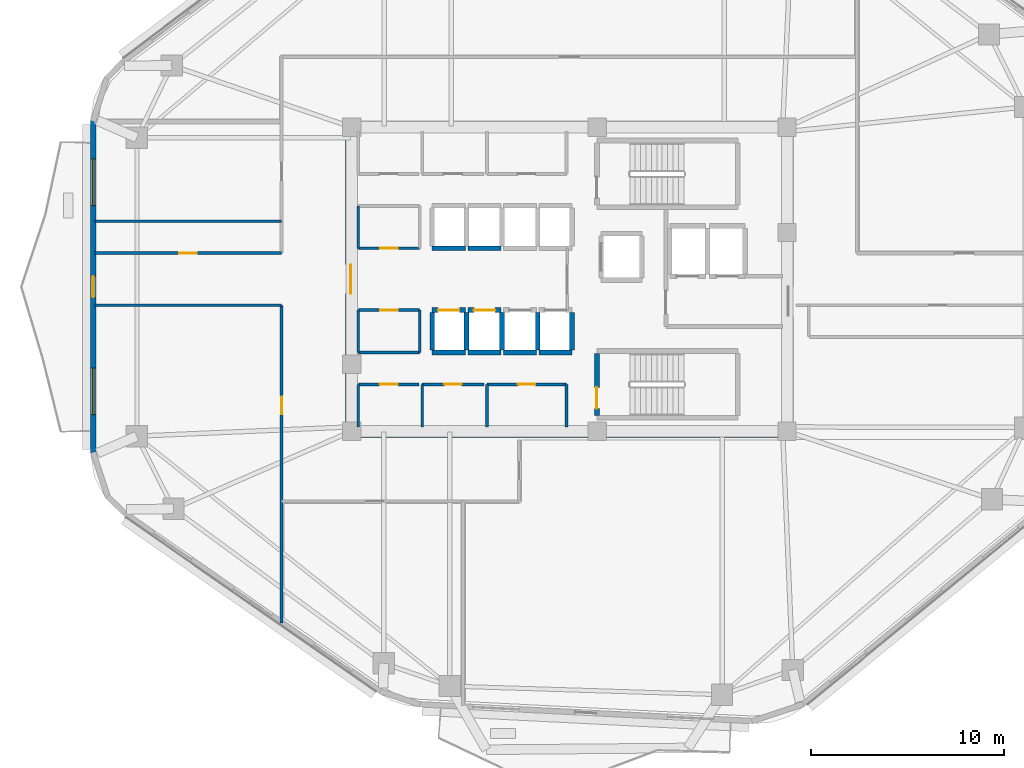
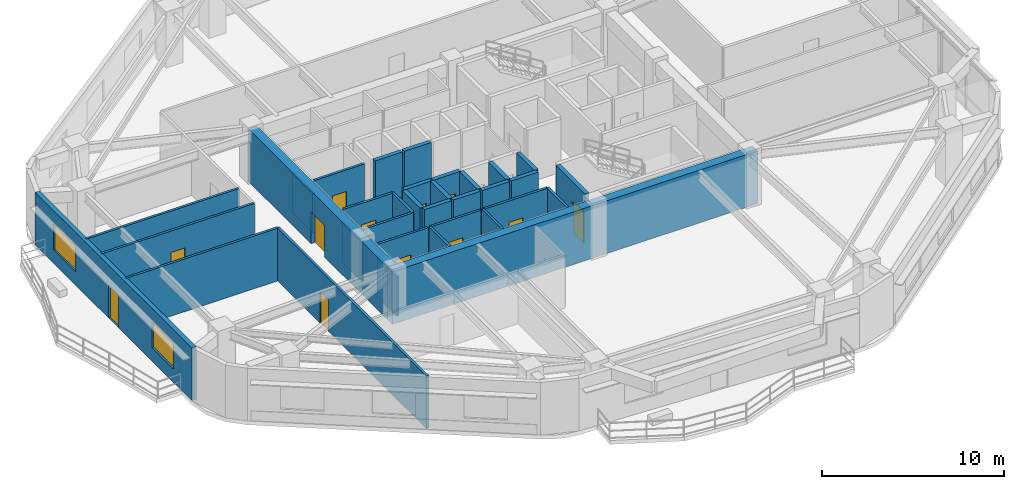
# One storey, part 9 of 15: 34 walls, 12 doors, 2 windows, 14 openings.
"""IFC4 building model written with IfcOpenShell, lengths in metres."""

from ifc_helpers import new_model, si_unit, direction, frame, frame_2d, origin, place, context, subcontext, project, spatial, rectangle, extrude, material, layer, layer_set, type_object, element, fill, save


model = new_model("IFC4")

# Units and contexts
model_context = context("Model", 3, precision=1e-05, world=origin(), true_north=direction((0.0, 1.0)))
body_context = subcontext(model_context, "Body", "Model", "MODEL_VIEW")
ifc_project = project(units=[si_unit("LENGTHUNIT", "METRE"), si_unit("AREAUNIT", "SQUARE_METRE"), si_unit("VOLUMEUNIT", "CUBIC_METRE"), si_unit("PLANEANGLEUNIT", "RADIAN"), si_unit("MASSUNIT", "GRAM", prefix="KILO")], contexts=[model_context])

# Site, building, storey
site_placement = place(None, origin())
site = spatial("IfcSite", under=ifc_project, at=site_placement, CompositionType="ELEMENT")
building_placement = place(site_placement, origin())
building = spatial("IfcBuilding", under=site, at=building_placement, Name="Zulverin Broadcast Headquarters", CompositionType="ELEMENT")
storey_placement = place(building_placement, frame((0.0, 0.0, 132.60009765625)))
storey = spatial("IfcBuildingStorey", under=building, at=storey_placement, Name="L33", CompositionType="ELEMENT", Elevation=132.60009765625)

# Wall
ifc_material_1 = material(Name="Concrete C60/75", Category="concrete")
ifc_layer_1 = layer(ifc_material_1, 0.550048828125, Name="Concrete C60/75", Category="concrete")
ifc_layer_set_1 = layer_set([ifc_layer_1], Name="Concrete C60/75")
wall_type_1 = type_object("IfcWallType", Name="WL-CORE-550", PredefinedType="SHEAR", material=ifc_layer_set_1)
wall_1_placement = place(storey_placement, frame((25.39990234375, 17.27490234375, 0.0), z_axis=(0.0, 0.0, 1.0), x_axis=(1.0, 0.0, 0.0)))
element("IfcWall", 1, at=wall_1_placement, inside=storey, type_object=wall_type_1, Name="L33 Core South Shear Wall", PredefinedType="SHEAR", context=body_context, shape_type="SweptSolid", body=[
    extrude(rectangle(XDim=23.2001953125, YDim=0.550048828125, at=frame_2d((11.60009765625, 0.0))), origin(), (0.0, 0.0, 1.0), 3.539794921875),
])

# Wall, opening, door
wall_2_placement = place(storey_placement, frame((25.675048828125, 17.550048828125, 0.0), z_axis=(0.0, 0.0, 1.0), x_axis=(0.0, 1.0, 0.0)))
wall_2 = element("IfcWall", 2, at=wall_2_placement, inside=storey, type_object=wall_type_1, Name="L33 Core West Shear Wall", PredefinedType="SHEAR", context=body_context, shape_type="SweptSolid", body=[
    extrude(rectangle(XDim=15.300048828125, YDim=0.550048828125, at=frame_2d((7.64990234375, 0.0))), origin(), (0.0, 0.0, 1.0), 3.539794921875),
])
opening_1_placement = place(wall_2_placement, frame((6.89990234375, 0.0, 0.0)))
opening_1 = element("IfcOpeningElement", 3, at=opening_1_placement, cuts=wall_2, Name="Opening D-L33-CW1", PredefinedType="OPENING", context=body_context, shape_type="SweptSolid", body=[
    extrude(rectangle(XDim=1.5, YDim=2.14990234375, at=frame_2d((0.75, 1.074951171875))), frame((0.0, 0.284912109375, 0.0), z_axis=(0.0, -1.0, 0.0), x_axis=(1.0, 0.0, 0.0)), (0.0, 0.0, 1.0), 0.570068359375),
])
ifc_material_2 = material(Name="Fire-rated glazed steel frame", Category="steel")
door_type_1 = type_object("IfcDoorType", Name="DR-COR-1500", OperationType="DOUBLE_DOOR_SINGLE_SWING", PredefinedType="DOOR", material=ifc_material_2)
door_1_placement = place(opening_1_placement, origin())
door_1 = element("IfcDoor", 4, at=door_1_placement, inside=storey, type_object=door_type_1, Name="L33 Central Lift Lobby West Portal Door", OperationType="DOUBLE_DOOR_SINGLE_SWING", OverallHeight=2.14990234375, OverallWidth=1.5, PredefinedType="DOOR", context=body_context, shape_type="SweptSolid", body=[
    extrude(rectangle(XDim=1.5, YDim=2.14990234375, at=frame_2d((0.75, 1.074951171875))), frame((0.0, 0.02490234375, 0.0), z_axis=(0.0, -1.0, 0.0), x_axis=(1.0, 0.0, 0.0)), (0.0, 0.0, 1.0), 0.050048828125),
])
fill(opening_1, door_1)

# Wall, openings, door, windows
ifc_material_3 = material(Name="Insulated pale-metal clad concrete spandrel C40/50", Category="concrete")
ifc_layer_2 = layer(ifc_material_3, 0.280029296875, Name="Insulated pale-metal clad concrete spandrel C40/50", Category="concrete")
ifc_layer_set_2 = layer_set([ifc_layer_2], Name="Insulated pale-metal clad concrete spandrel C40/50")
wall_type_2 = type_object("IfcWallType", Name="WL-EXT-280", PredefinedType="STANDARD", material=ifc_layer_set_2)
wall_3_placement = place(storey_placement, frame((12.340087890625, 33.4189453125, 0.0), z_axis=(0.0, 0.0, 1.0), x_axis=(0.0, -1.0, 0.0)))
wall_3 = element("IfcWall", 5, at=wall_3_placement, inside=storey, type_object=wall_type_2, Name="L33 Pale-Metal Clad Spandrel Wall 7", PredefinedType="STANDARD", context=body_context, shape_type="SweptSolid", body=[
    extrude(rectangle(XDim=17.23193359375, YDim=0.280029296875, at=frame_2d((8.615966796875, 0.0))), origin(), (0.0, 0.0, 1.0), 3.539794921875),
])
opening_2_placement = place(wall_3_placement, frame((8.06591796875, 0.0, 0.0)))
opening_2 = element("IfcOpeningElement", 6, at=opening_2_placement, cuts=wall_3, Name="Opening D-L33-TR7", PredefinedType="OPENING", context=body_context, shape_type="SweptSolid", body=[
    extrude(rectangle(XDim=1.10009765625, YDim=2.199951171875, at=frame_2d((0.550048828125, 1.10009765625))), frame((0.0, 0.14990234375, 0.0), z_axis=(0.0, -1.0, 0.0), x_axis=(1.0, 0.0, 0.0)), (0.0, 0.0, 1.0), 0.300048828125),
])
opening_3_placement = place(wall_3_placement, frame((2.00537109375, 0.0, 0.89990234375)))
opening_3 = element("IfcOpeningElement", 7, at=opening_3_placement, cuts=wall_3, Name="Opening W-L33-E71", PredefinedType="OPENING", context=body_context, shape_type="SweptSolid", body=[
    extrude(rectangle(XDim=2.39990234375, YDim=1.75, at=frame_2d((1.199951171875, 0.875))), frame((0.0, 0.14990234375, 0.0), z_axis=(0.0, -1.0, 0.0), x_axis=(1.0, 0.0, 0.0)), (0.0, 0.0, 1.0), 0.300048828125),
])
opening_4_placement = place(wall_3_placement, frame((12.82666015625, 0.0, 0.89990234375)))
opening_4 = element("IfcOpeningElement", 8, at=opening_4_placement, cuts=wall_3, Name="Opening W-L33-E72", PredefinedType="OPENING", context=body_context, shape_type="SweptSolid", body=[
    extrude(rectangle(XDim=2.39990234375, YDim=1.75, at=frame_2d((1.199951171875, 0.875))), frame((0.0, 0.14990234375, 0.0), z_axis=(0.0, -1.0, 0.0), x_axis=(1.0, 0.0, 0.0)), (0.0, 0.0, 1.0), 0.300048828125),
])
ifc_material_4 = material(Name="Thermally broken aluminium glazed", Category="aluminium")
door_type_2 = type_object("IfcDoorType", Name="DR-TERR-1100", OperationType="SINGLE_SWING_RIGHT", PredefinedType="DOOR", material=ifc_material_4)
door_2_placement = place(opening_2_placement, origin())
door_2 = element("IfcDoor", 9, at=door_2_placement, inside=storey, type_object=door_type_2, Name="L33 Planted Terrace Glazed Access Door 7", OperationType="SINGLE_SWING_RIGHT", OverallHeight=2.199951171875, OverallWidth=1.10009765625, PredefinedType="DOOR", context=body_context, shape_type="SweptSolid", body=[
    extrude(rectangle(XDim=1.10009765625, YDim=2.199951171875, at=frame_2d((0.550048828125, 1.10009765625))), frame((0.0, 0.02490234375, 0.0), z_axis=(0.0, -1.0, 0.0), x_axis=(1.0, 0.0, 0.0)), (0.0, 0.0, 1.0), 0.050048828125),
])
fill(opening_2, door_2)
ifc_material_5 = material(Name="Pale anodized aluminium frame with solar-control low-E double glazing", Category="aluminium")
window_type = type_object("IfcWindowType", Name="WIN-RIB-2400", PartitioningType="SINGLE_PANEL", PredefinedType="WINDOW", material=ifc_material_5)
window_1_placement = place(opening_3_placement, origin())
window_1 = element("IfcWindow", 10, at=window_1_placement, inside=storey, type_object=window_type, Name="L33 Ribbon Glazing Window 7 1", OverallHeight=1.75, OverallWidth=2.39990234375, PartitioningType="SINGLE_PANEL", PredefinedType="WINDOW", context=body_context, shape_type="SweptSolid", body=[
    extrude(rectangle(XDim=2.39990234375, YDim=1.75, at=frame_2d((1.199951171875, 0.875))), frame((0.0, 0.030029296875, 0.0), z_axis=(0.0, -1.0, 0.0), x_axis=(1.0, 0.0, 0.0)), (0.0, 0.0, 1.0), 0.06005859375),
])
fill(opening_3, window_1)
window_2_placement = place(opening_4_placement, origin())
window_2 = element("IfcWindow", 11, at=window_2_placement, inside=storey, type_object=window_type, Name="L33 Ribbon Glazing Window 7 2", OverallHeight=1.75, OverallWidth=2.39990234375, PartitioningType="SINGLE_PANEL", PredefinedType="WINDOW", context=body_context, shape_type="SweptSolid", body=[
    extrude(rectangle(XDim=2.39990234375, YDim=1.75, at=frame_2d((1.199951171875, 0.875))), frame((0.0, 0.030029296875, 0.0), z_axis=(0.0, -1.0, 0.0), x_axis=(1.0, 0.0, 0.0)), (0.0, 0.0, 1.0), 0.06005859375),
])
fill(opening_4, window_2)

# Wall, opening, door
ifc_material_6 = material(Name="Fire-rated gypsum stud partition", Category="gypsum")
ifc_layer_3 = layer(ifc_material_6, 0.14990234375, Name="Fire-rated gypsum stud partition", Category="gypsum")
ifc_layer_set_3 = layer_set([ifc_layer_3], Name="Fire-rated gypsum stud partition")
wall_type_3 = type_object("IfcWallType", Name="WL-PART-150", PredefinedType="PARTITIONING", material=ifc_layer_set_3)
wall_4_placement = place(storey_placement, frame((26.070068359375, 19.75, 0.0), z_axis=(0.0, 0.0, 1.0), x_axis=(1.0, 0.0, 0.0)))
wall_4 = element("IfcWall", 12, at=wall_4_placement, inside=storey, type_object=wall_type_3, Name="L33 Core Female WC Front Wall", PredefinedType="PARTITIONING", context=body_context, shape_type="SweptSolid", body=[
    extrude(rectangle(XDim=3.14990234375, YDim=0.14990234375, at=frame_2d((1.574951171875, 0.0))), origin(), (0.0, 0.0, 1.0), 3.539794921875),
])
opening_5_placement = place(wall_4_placement, frame((1.10009765625, 0.0, 0.0)))
opening_5 = element("IfcOpeningElement", 13, at=opening_5_placement, cuts=wall_4, Name="Opening D-L33-SC1", PredefinedType="OPENING", context=body_context, shape_type="SweptSolid", body=[
    extrude(rectangle(XDim=0.949951171875, YDim=2.10009765625, at=frame_2d((0.47509765625, 1.050048828125))), frame((0.0, 0.0849609375, 0.0), z_axis=(0.0, -1.0, 0.0), x_axis=(1.0, 0.0, 0.0)), (0.0, 0.0, 1.0), 0.169921875),
])
ifc_material_7 = material(Name="Fire-rated moisture-resistant laminate leaf", Category="wood")
door_type_3 = type_object("IfcDoorType", Name="DR-WC-950", OperationType="SINGLE_SWING_LEFT", PredefinedType="DOOR", material=ifc_material_7)
door_3_placement = place(opening_5_placement, origin())
door_3 = element("IfcDoor", 14, at=door_3_placement, inside=storey, type_object=door_type_3, Name="L33 Female WC Door", OperationType="SINGLE_SWING_RIGHT", OverallHeight=2.10009765625, OverallWidth=0.949951171875, PredefinedType="DOOR", context=body_context, shape_type="SweptSolid", body=[
    extrude(rectangle(XDim=0.949951171875, YDim=2.10009765625, at=frame_2d((0.47509765625, 1.050048828125))), frame((0.0, 0.02490234375, 0.0), z_axis=(0.0, -1.0, 0.0), x_axis=(1.0, 0.0, 0.0)), (0.0, 0.0, 1.0), 0.050048828125),
])
fill(opening_5, door_3)

# Wall
wall_5_placement = place(storey_placement, frame((26.070068359375, 17.550048828125, 0.0), z_axis=(0.0, 0.0, 1.0), x_axis=(0.0, 1.0, 0.0)))
element("IfcWall", 15, at=wall_5_placement, inside=storey, type_object=wall_type_3, Name="L33 Core Female WC West Wall", PredefinedType="PARTITIONING", context=body_context, shape_type="SweptSolid", body=[
    extrude(rectangle(XDim=2.199951171875, YDim=0.14990234375, at=frame_2d((1.10009765625, 0.0))), origin(), (0.0, 0.0, 1.0), 2.639892578125),
])

# Wall, opening, door
wall_6_placement = place(storey_placement, frame((29.3798828125, 19.75, 0.0), z_axis=(0.0, 0.0, 1.0), x_axis=(1.0, 0.0, 0.0)))
wall_6 = element("IfcWall", 16, at=wall_6_placement, inside=storey, type_object=wall_type_3, Name="L33 Core Cleaner Store Front Wall", PredefinedType="PARTITIONING", context=body_context, shape_type="SweptSolid", body=[
    extrude(rectangle(XDim=3.190185546875, YDim=0.14990234375, at=frame_2d((1.59521484375, 0.0))), origin(), (0.0, 0.0, 1.0), 3.539794921875),
])
opening_6_placement = place(wall_6_placement, frame((1.14501953125, 0.0, 0.0)))
opening_6 = element("IfcOpeningElement", 17, at=opening_6_placement, cuts=wall_6, Name="Opening D-L33-SC2", PredefinedType="OPENING", context=body_context, shape_type="SweptSolid", body=[
    extrude(rectangle(XDim=0.89990234375, YDim=2.10009765625, at=frame_2d((0.449951171875, 1.050048828125))), frame((0.0, 0.0849609375, 0.0), z_axis=(0.0, -1.0, 0.0), x_axis=(1.0, 0.0, 0.0)), (0.0, 0.0, 1.0), 0.169921875),
])
ifc_material_8 = material(Name="Powder-coated steel access leaf", Category="steel")
door_type_4 = type_object("IfcDoorType", Name="DR-RISER-900", OperationType="SINGLE_SWING_LEFT", PredefinedType="DOOR", material=ifc_material_8)
door_4_placement = place(opening_6_placement, origin())
door_4 = element("IfcDoor", 18, at=door_4_placement, inside=storey, type_object=door_type_4, Name="L33 Cleaner Store Door", OperationType="SINGLE_SWING_LEFT", OverallHeight=2.10009765625, OverallWidth=0.89990234375, PredefinedType="DOOR", context=body_context, shape_type="SweptSolid", body=[
    extrude(rectangle(XDim=0.89990234375, YDim=2.10009765625, at=frame_2d((0.449951171875, 1.050048828125))), frame((0.0, 0.02490234375, 0.0), z_axis=(0.0, -1.0, 0.0), x_axis=(1.0, 0.0, 0.0)), (0.0, 0.0, 1.0), 0.050048828125),
])
fill(opening_6, door_4)

# Wall
wall_7_placement = place(storey_placement, frame((29.3798828125, 17.550048828125, 0.0), z_axis=(0.0, 0.0, 1.0), x_axis=(0.0, 1.0, 0.0)))
element("IfcWall", 19, at=wall_7_placement, inside=storey, type_object=wall_type_3, Name="L33 Core Cleaner Store West Wall", PredefinedType="PARTITIONING", context=body_context, shape_type="SweptSolid", body=[
    extrude(rectangle(XDim=2.199951171875, YDim=0.14990234375, at=frame_2d((1.10009765625, 0.0))), origin(), (0.0, 0.0, 1.0), 3.539794921875),
])

# Wall, opening, door
wall_8_placement = place(storey_placement, frame((32.72998046875, 19.75, 0.0), z_axis=(0.0, 0.0, 1.0), x_axis=(1.0, 0.0, 0.0)))
wall_8 = element("IfcWall", 20, at=wall_8_placement, inside=storey, type_object=wall_type_3, Name="L33 Core Broadcast Fibre Riser Front Wall", PredefinedType="PARTITIONING", context=body_context, shape_type="SweptSolid", body=[
    extrude(rectangle(XDim=4.1201171875, YDim=0.14990234375, at=frame_2d((2.06005859375, 0.0))), origin(), (0.0, 0.0, 1.0), 3.539794921875),
])
opening_7_placement = place(wall_8_placement, frame((1.610107421875, 0.0, 0.0)))
opening_7 = element("IfcOpeningElement", 21, at=opening_7_placement, cuts=wall_8, Name="Opening D-L33-SC3", PredefinedType="OPENING", context=body_context, shape_type="SweptSolid", body=[
    extrude(rectangle(XDim=0.89990234375, YDim=2.10009765625, at=frame_2d((0.449951171875, 1.050048828125))), frame((0.0, 0.0849609375, 0.0), z_axis=(0.0, -1.0, 0.0), x_axis=(1.0, 0.0, 0.0)), (0.0, 0.0, 1.0), 0.169921875),
])
door_5_placement = place(opening_7_placement, origin())
door_5 = element("IfcDoor", 22, at=door_5_placement, inside=storey, type_object=door_type_4, Name="L33 Broadcast Fibre Riser Door", OperationType="SINGLE_SWING_RIGHT", OverallHeight=2.10009765625, OverallWidth=0.89990234375, PredefinedType="DOOR", context=body_context, shape_type="SweptSolid", body=[
    extrude(rectangle(XDim=0.89990234375, YDim=2.10009765625, at=frame_2d((0.449951171875, 1.050048828125))), frame((0.0, 0.02490234375, 0.0), z_axis=(0.0, -1.0, 0.0), x_axis=(1.0, 0.0, 0.0)), (0.0, 0.0, 1.0), 0.050048828125),
])
fill(opening_7, door_5)

# Walls
for number, where, z_axis, x_axis, name in (
    (23, (32.72998046875, 17.550048828125, 0.0), (0.0, 0.0, 1.0), (0.0, 1.0, 0.0), "L33 Core Broadcast Fibre Riser West Wall"),
    (24, (36.85009765625, 17.550048828125, 0.0), (0.0, 0.0, 1.0), (0.0, 1.0, 0.0), "L33 Core Broadcast Fibre Riser East Wall"),
):
    element("IfcWall", number, at=place(storey_placement, frame(where, z_axis=z_axis, x_axis=x_axis)), inside=storey, type_object=wall_type_3, Name=name, PredefinedType="PARTITIONING", context=body_context, shape_type="SweptSolid", body=[
        extrude(rectangle(XDim=2.199951171875, YDim=0.14990234375, at=frame_2d((1.10009765625, 0.0))), origin(), (0.0, 0.0, 1.0), 3.539794921875),
    ])

# Wall, opening, door
wall_9_placement = place(storey_placement, frame((26.070068359375, 26.800048828125, 0.0), z_axis=(0.0, 0.0, 1.0), x_axis=(1.0, 0.0, 0.0)))
wall_9 = element("IfcWall", 25, at=wall_9_placement, inside=storey, type_object=wall_type_3, Name="L33 Core UPS Battery Store S Wall", PredefinedType="PARTITIONING", context=body_context, shape_type="SweptSolid", body=[
    extrude(rectangle(XDim=3.179931640625, YDim=0.14990234375, at=frame_2d((1.58984375, 0.0))), origin(), (0.0, 0.0, 1.0), 3.539794921875),
])
opening_8_placement = place(wall_9_placement, frame((1.139892578125, 0.0, 0.0)))
opening_8 = element("IfcOpeningElement", 26, at=opening_8_placement, cuts=wall_9, Name="Opening D-L33-RCLN", PredefinedType="OPENING", context=body_context, shape_type="SweptSolid", body=[
    extrude(rectangle(XDim=0.89990234375, YDim=2.10009765625, at=frame_2d((0.449951171875, 1.050048828125))), frame((0.0, 0.0849609375, 0.0), z_axis=(0.0, -1.0, 0.0), x_axis=(1.0, 0.0, 0.0)), (0.0, 0.0, 1.0), 0.169921875),
])
door_6_placement = place(opening_8_placement, origin())
door_6 = element("IfcDoor", 27, at=door_6_placement, inside=storey, type_object=door_type_4, Name="L33 Core UPS Battery Store Door", OperationType="SINGLE_SWING_LEFT", OverallHeight=2.10009765625, OverallWidth=0.89990234375, PredefinedType="DOOR", context=body_context, shape_type="SweptSolid", body=[
    extrude(rectangle(XDim=0.89990234375, YDim=2.10009765625, at=frame_2d((0.449951171875, 1.050048828125))), frame((0.0, 0.02490234375, 0.0), z_axis=(0.0, -1.0, 0.0), x_axis=(1.0, 0.0, 0.0)), (0.0, 0.0, 1.0), 0.050048828125),
])
fill(opening_8, door_6)

# Walls
wall_10_placement = place(storey_placement, frame((26.070068359375, 26.800048828125, 0.0), z_axis=(0.0, 0.0, 1.0), x_axis=(0.0, 1.0, 0.0)))
element("IfcWall", 28, at=wall_10_placement, inside=storey, type_object=wall_type_3, Name="L33 Core UPS Battery Store W Wall", PredefinedType="PARTITIONING", context=body_context, shape_type="SweptSolid", body=[
    extrude(rectangle(XDim=2.199951171875, YDim=0.14990234375, at=frame_2d((1.10009765625, 0.0))), origin(), (0.0, 0.0, 1.0), 2.639892578125),
])
wall_11_placement = place(storey_placement, frame((26.070068359375, 21.39990234375, 0.0), z_axis=(0.0, 0.0, 1.0), x_axis=(1.0, 0.0, 0.0)))
element("IfcWall", 29, at=wall_11_placement, inside=storey, type_object=wall_type_3, Name="L33 Housekeeping Equipment Store S Wall", PredefinedType="PARTITIONING", context=body_context, shape_type="SweptSolid", body=[
    extrude(rectangle(XDim=3.179931640625, YDim=0.14990234375, at=frame_2d((1.58984375, 0.0))), origin(), (0.0, 0.0, 1.0), 3.539794921875),
])

# Wall, opening, door
wall_12_placement = place(storey_placement, frame((26.070068359375, 23.60009765625, 0.0), z_axis=(0.0, 0.0, 1.0), x_axis=(1.0, 0.0, 0.0)))
wall_12 = element("IfcWall", 30, at=wall_12_placement, inside=storey, type_object=wall_type_3, Name="L33 Housekeeping Equipment Store N Wall", PredefinedType="PARTITIONING", context=body_context, shape_type="SweptSolid", body=[
    extrude(rectangle(XDim=3.179931640625, YDim=0.14990234375, at=frame_2d((1.58984375, 0.0))), origin(), (0.0, 0.0, 1.0), 3.539794921875),
])
opening_9_placement = place(wall_12_placement, frame((1.139892578125, 0.0, 0.0)))
opening_9 = element("IfcOpeningElement", 31, at=opening_9_placement, cuts=wall_12, Name="Opening D-L33-RCLS", PredefinedType="OPENING", context=body_context, shape_type="SweptSolid", body=[
    extrude(rectangle(XDim=0.89990234375, YDim=2.10009765625, at=frame_2d((0.449951171875, 1.050048828125))), frame((0.0, 0.0849609375, 0.0), z_axis=(0.0, -1.0, 0.0), x_axis=(1.0, 0.0, 0.0)), (0.0, 0.0, 1.0), 0.169921875),
])
door_7_placement = place(opening_9_placement, origin())
door_7 = element("IfcDoor", 32, at=door_7_placement, inside=storey, type_object=door_type_4, Name="L33 Housekeeping Equipment Store Door", OperationType="SINGLE_SWING_RIGHT", OverallHeight=2.10009765625, OverallWidth=0.89990234375, PredefinedType="DOOR", context=body_context, shape_type="SweptSolid", body=[
    extrude(rectangle(XDim=0.89990234375, YDim=2.10009765625, at=frame_2d((0.449951171875, 1.050048828125))), frame((0.0, 0.02490234375, 0.0), z_axis=(0.0, -1.0, 0.0), x_axis=(1.0, 0.0, 0.0)), (0.0, 0.0, 1.0), 0.050048828125),
])
fill(opening_9, door_7)

# Walls
wall_13_placement = place(storey_placement, frame((26.070068359375, 21.39990234375, 0.0), z_axis=(0.0, 0.0, 1.0), x_axis=(0.0, 1.0, 0.0)))
element("IfcWall", 33, at=wall_13_placement, inside=storey, type_object=wall_type_3, Name="L33 Housekeeping Equipment Store W Wall", PredefinedType="PARTITIONING", context=body_context, shape_type="SweptSolid", body=[
    extrude(rectangle(XDim=2.2001953125, YDim=0.14990234375, at=frame_2d((1.10009765625, 0.0))), origin(), (0.0, 0.0, 1.0), 2.639892578125),
])
wall_14_placement = place(storey_placement, frame((29.25, 21.39990234375, 0.0), z_axis=(0.0, 0.0, 1.0), x_axis=(0.0, 1.0, 0.0)))
element("IfcWall", 34, at=wall_14_placement, inside=storey, type_object=wall_type_3, Name="L33 Housekeeping Equipment Store E Wall", PredefinedType="PARTITIONING", context=body_context, shape_type="SweptSolid", body=[
    extrude(rectangle(XDim=2.2001953125, YDim=0.14990234375, at=frame_2d((1.10009765625, 0.0))), origin(), (0.0, 0.0, 1.0), 3.539794921875),
])

# Wall, opening, door
wall_15_placement = place(storey_placement, frame((22.10009765625, 7.397705078125, 0.0), z_axis=(0.0, 0.0, 1.0), x_axis=(0.0, 1.0, 0.0)))
wall_15 = element("IfcWall", 35, at=wall_15_placement, inside=storey, type_object=wall_type_3, Name="L33 Gallery Partition Wall CG-05", PredefinedType="PARTITIONING", context=body_context, shape_type="SweptSolid", body=[
    extrude(rectangle(XDim=16.452392578125, YDim=0.14990234375, at=frame_2d((8.22607421875, 0.0))), origin(), (0.0, 0.0, 1.0), 3.539794921875),
])
opening_10_placement = place(wall_15_placement, frame((10.807373046875, 0.0, 0.0)))
opening_10 = element("IfcOpeningElement", 36, at=opening_10_placement, cuts=wall_15, Name="Opening D-L33-04", PredefinedType="OPENING", context=body_context, shape_type="SweptSolid", body=[
    extrude(rectangle(XDim=0.89990234375, YDim=2.10009765625, at=frame_2d((0.449951171875, 1.050048828125))), frame((0.0, 0.0849609375, 0.0), z_axis=(0.0, -1.0, 0.0), x_axis=(1.0, 0.0, 0.0)), (0.0, 0.0, 1.0), 0.169921875),
])
ifc_material_9 = material(Name="Fire-rated hardwood veneer timber leaf", Category="wood")
door_type_5 = type_object("IfcDoorType", Name="DR-ROOM-900", OperationType="SINGLE_SWING_RIGHT", PredefinedType="DOOR", material=ifc_material_9)
door_8_placement = place(opening_10_placement, origin())
door_8 = element("IfcDoor", 37, at=door_8_placement, inside=storey, type_object=door_type_5, Name="L33 Systems Control Suite Door", OperationType="SINGLE_SWING_LEFT", OverallHeight=2.10009765625, OverallWidth=0.89990234375, PredefinedType="DOOR", context=body_context, shape_type="SweptSolid", body=[
    extrude(rectangle(XDim=0.89990234375, YDim=2.10009765625, at=frame_2d((0.449951171875, 1.050048828125))), frame((0.0, 0.02490234375, 0.0), z_axis=(0.0, -1.0, 0.0), x_axis=(1.0, 0.0, 0.0)), (0.0, 0.0, 1.0), 0.050048828125),
])
fill(opening_10, door_8)

# Wall
wall_16_placement = place(storey_placement, frame((12.405029296875, 23.85009765625, 0.0), z_axis=(0.0, 0.0, 1.0), x_axis=(1.0, 0.0, 0.0)))
element("IfcWall", 38, at=wall_16_placement, inside=storey, type_object=wall_type_3, Name="L33 Gallery Partition Wall CG-09", PredefinedType="PARTITIONING", context=body_context, shape_type="SweptSolid", body=[
    extrude(rectangle(XDim=9.695068359375, YDim=0.14990234375, at=frame_2d((4.84765625, 0.0))), origin(), (0.0, 0.0, 1.0), 3.539794921875),
])

# Wall, opening, door
wall_17_placement = place(storey_placement, frame((12.405029296875, 26.550048828125, 0.0), z_axis=(0.0, 0.0, 1.0), x_axis=(1.0, 0.0, 0.0)))
wall_17 = element("IfcWall", 39, at=wall_17_placement, inside=storey, type_object=wall_type_3, Name="L33 Gallery Partition Wall CG-11", PredefinedType="PARTITIONING", context=body_context, shape_type="SweptSolid", body=[
    extrude(rectangle(XDim=9.695068359375, YDim=0.14990234375, at=frame_2d((4.84765625, 0.0))), origin(), (0.0, 0.0, 1.0), 3.539794921875),
])
opening_11_placement = place(wall_17_placement, frame((4.3974609375, 0.0, 0.0)))
opening_11 = element("IfcOpeningElement", 40, at=opening_11_placement, cuts=wall_17, Name="Opening D-L33-05", PredefinedType="OPENING", context=body_context, shape_type="SweptSolid", body=[
    extrude(rectangle(XDim=0.89990234375, YDim=2.10009765625, at=frame_2d((0.449951171875, 1.050048828125))), frame((0.0, 0.0849609375, 0.0), z_axis=(0.0, -1.0, 0.0), x_axis=(1.0, 0.0, 0.0)), (0.0, 0.0, 1.0), 0.169921875),
])
door_9_placement = place(opening_11_placement, origin())
door_9 = element("IfcDoor", 41, at=door_9_placement, inside=storey, type_object=door_type_5, Name="L33 Conference Room Door", OperationType="SINGLE_SWING_RIGHT", OverallHeight=2.10009765625, OverallWidth=0.89990234375, PredefinedType="DOOR", context=body_context, shape_type="SweptSolid", body=[
    extrude(rectangle(XDim=0.89990234375, YDim=2.10009765625, at=frame_2d((0.449951171875, 1.050048828125))), frame((0.0, 0.02490234375, 0.0), z_axis=(0.0, -1.0, 0.0), x_axis=(1.0, 0.0, 0.0)), (0.0, 0.0, 1.0), 0.050048828125),
])
fill(opening_11, door_9)

# Wall
wall_18_placement = place(storey_placement, frame((12.405029296875, 28.199951171875, 0.0), z_axis=(0.0, 0.0, 1.0), x_axis=(1.0, 0.0, 0.0)))
element("IfcWall", 42, at=wall_18_placement, inside=storey, type_object=wall_type_3, Name="L33 Room Partition Wall RP-13", PredefinedType="PARTITIONING", context=body_context, shape_type="SweptSolid", body=[
    extrude(rectangle(XDim=9.695068359375, YDim=0.14990234375, at=frame_2d((4.84765625, 0.0))), origin(), (0.0, 0.0, 1.0), 3.539794921875),
])

# Wall, opening, door
ifc_material_10 = material(Name="Concrete C50/60", Category="concrete")
ifc_layer_4 = layer(ifc_material_10, 0.25, Name="Concrete C50/60", Category="concrete")
ifc_layer_set_4 = layer_set([ifc_layer_4], Name="Concrete C50/60")
wall_type_4 = type_object("IfcWallType", Name="WL-SHAFT-250", PredefinedType="SHEAR", material=ifc_layer_set_4)
wall_19_placement = place(storey_placement, frame((38.425048828125, 18.14990234375, 0.0), z_axis=(0.0, 0.0, 1.0), x_axis=(0.0, 1.0, 0.0)))
wall_19 = element("IfcWall", 43, at=wall_19_placement, inside=storey, type_object=wall_type_4, Name="L33 ST-2 Enclosure Wall W", PredefinedType="SHEAR", context=body_context, shape_type="SweptSolid", body=[
    extrude(rectangle(XDim=3.2001953125, YDim=0.25, at=frame_2d((1.60009765625, 0.0))), origin(), (0.0, 0.0, 1.0), 3.539794921875),
])
opening_12_placement = place(wall_19_placement, frame((0.35009765625, 0.0, 0.0)))
opening_12 = element("IfcOpeningElement", 44, at=opening_12_placement, cuts=wall_19, Name="Opening D-L33-ST-2", PredefinedType="OPENING", context=body_context, shape_type="SweptSolid", body=[
    extrude(rectangle(XDim=1.10009765625, YDim=2.14990234375, at=frame_2d((0.550048828125, 1.074951171875))), frame((0.0, 0.135009765625, 0.0), z_axis=(0.0, -1.0, 0.0), x_axis=(1.0, 0.0, 0.0)), (0.0, 0.0, 1.0), 0.27001953125),
])
ifc_material_11 = material(Name="Fire-rated steel leaf and frame", Category="steel")
door_type_6 = type_object("IfcDoorType", Name="DR-STAIR-1100", OperationType="SINGLE_SWING_LEFT", PredefinedType="DOOR", material=ifc_material_11)
door_10_placement = place(opening_12_placement, origin())
door_10 = element("IfcDoor", 45, at=door_10_placement, inside=storey, type_object=door_type_6, Name="L33 Exit Stair ST-2 Fire Door", OperationType="SINGLE_SWING_RIGHT", OverallHeight=2.14990234375, OverallWidth=1.10009765625, PredefinedType="DOOR", context=body_context, shape_type="SweptSolid", body=[
    extrude(rectangle(XDim=1.10009765625, YDim=2.14990234375, at=frame_2d((0.550048828125, 1.074951171875))), frame((0.0, 0.02490234375, 0.0), z_axis=(0.0, -1.0, 0.0), x_axis=(1.0, 0.0, 0.0)), (0.0, 0.0, 1.0), 0.050048828125),
])
fill(opening_12, door_10)

# Wall
wall_20_placement = place(storey_placement, frame((29.89990234375, 21.39990234375, 0.0), z_axis=(0.0, 0.0, 1.0), x_axis=(1.0, 0.0, 0.0)))
element("IfcWall", 46, at=wall_20_placement, inside=storey, type_object=wall_type_4, Name="L33 Lift PL-M1 Shaft Wall S", PredefinedType="SHEAR", context=body_context, shape_type="SweptSolid", body=[
    extrude(rectangle(XDim=1.72021484375, YDim=0.25, at=frame_2d((0.860107421875, 0.0))), origin(), (0.0, 0.0, 1.0), 3.539794921875),
])

# Wall, opening, door
wall_21_placement = place(storey_placement, frame((29.89990234375, 23.60009765625, 0.0), z_axis=(0.0, 0.0, 1.0), x_axis=(1.0, 0.0, 0.0)))
wall_21 = element("IfcWall", 47, at=wall_21_placement, inside=storey, type_object=wall_type_4, Name="L33 Lift PL-M1 Shaft Wall N", PredefinedType="SHEAR", context=body_context, shape_type="SweptSolid", body=[
    extrude(rectangle(XDim=1.72021484375, YDim=0.25, at=frame_2d((0.860107421875, 0.0))), origin(), (0.0, 0.0, 1.0), 3.539794921875),
])
opening_13_placement = place(wall_21_placement, frame((0.31005859375, 0.0, 0.0)))
opening_13 = element("IfcOpeningElement", 48, at=opening_13_placement, cuts=wall_21, Name="Opening LD-PL-M1-L33", PredefinedType="OPENING", context=body_context, shape_type="SweptSolid", body=[
    extrude(rectangle(XDim=1.10009765625, YDim=2.14990234375, at=frame_2d((0.550048828125, 1.074951171875))), frame((0.0, 0.135009765625, 0.0), z_axis=(0.0, -1.0, 0.0), x_axis=(1.0, 0.0, 0.0)), (0.0, 0.0, 1.0), 0.27001953125),
])
ifc_material_12 = material(Name="Brushed stainless steel landing", Category="steel")
door_type_7 = type_object("IfcDoorType", Name="LD-PASS-1100", OperationType="DOUBLE_DOOR_SLIDING", PredefinedType="DOOR", material=ifc_material_12)
door_11_placement = place(opening_13_placement, origin())
door_11 = element("IfcDoor", 49, at=door_11_placement, inside=storey, type_object=door_type_7, Name="L33 Lift PL-M1 Sliding Landing Door", OperationType="DOUBLE_DOOR_SLIDING", OverallHeight=2.14990234375, OverallWidth=1.10009765625, PredefinedType="DOOR", context=body_context, shape_type="SweptSolid", body=[
    extrude(rectangle(XDim=1.10009765625, YDim=2.14990234375, at=frame_2d((0.550048828125, 1.074951171875))), frame((0.0, 0.02490234375, 0.0), z_axis=(0.0, -1.0, 0.0), x_axis=(1.0, 0.0, 0.0)), (0.0, 0.0, 1.0), 0.050048828125),
])
fill(opening_13, door_11)

# Walls
for number, where, z_axis, x_axis, name in (
    (50, (29.89990234375, 21.52001953125, 0.0), (0.0, 0.0, 1.0), (0.0, 1.0, 0.0), "L33 Lift PL-M1 Shaft Wall W"),
    (51, (31.679931640625, 21.52001953125, 0.0), (0.0, 0.0, 1.0), (0.0, 1.0, 0.0), "L33 Lift PL-M1 Shaft Wall E"),
):
    element("IfcWall", number, at=place(storey_placement, frame(where, z_axis=z_axis, x_axis=x_axis)), inside=storey, type_object=wall_type_4, Name=name, PredefinedType="SHEAR", context=body_context, shape_type="SweptSolid", body=[
        extrude(rectangle(XDim=1.9599609375, YDim=0.25, at=frame_2d((0.97998046875, 0.0))), origin(), (0.0, 0.0, 1.0), 3.539794921875),
    ])
wall_22_placement = place(storey_placement, frame((31.739990234375, 21.39990234375, 0.0), z_axis=(0.0, 0.0, 1.0), x_axis=(1.0, 0.0, 0.0)))
element("IfcWall", 52, at=wall_22_placement, inside=storey, type_object=wall_type_4, Name="L33 Lift PL-M2 Shaft Wall S", PredefinedType="SHEAR", context=body_context, shape_type="SweptSolid", body=[
    extrude(rectangle(XDim=1.719970703125, YDim=0.25, at=frame_2d((0.85986328125, 0.0))), origin(), (0.0, 0.0, 1.0), 3.539794921875),
])

# Wall, opening, door
wall_23_placement = place(storey_placement, frame((31.739990234375, 23.60009765625, 0.0), z_axis=(0.0, 0.0, 1.0), x_axis=(1.0, 0.0, 0.0)))
wall_23 = element("IfcWall", 53, at=wall_23_placement, inside=storey, type_object=wall_type_4, Name="L33 Lift PL-M2 Shaft Wall N", PredefinedType="SHEAR", context=body_context, shape_type="SweptSolid", body=[
    extrude(rectangle(XDim=1.719970703125, YDim=0.25, at=frame_2d((0.85986328125, 0.0))), origin(), (0.0, 0.0, 1.0), 3.539794921875),
])
opening_14_placement = place(wall_23_placement, frame((0.31005859375, 0.0, 0.0)))
opening_14 = element("IfcOpeningElement", 54, at=opening_14_placement, cuts=wall_23, Name="Opening LD-PL-M2-L33", PredefinedType="OPENING", context=body_context, shape_type="SweptSolid", body=[
    extrude(rectangle(XDim=1.10009765625, YDim=2.14990234375, at=frame_2d((0.550048828125, 1.074951171875))), frame((0.0, 0.135009765625, 0.0), z_axis=(0.0, -1.0, 0.0), x_axis=(1.0, 0.0, 0.0)), (0.0, 0.0, 1.0), 0.27001953125),
])
door_12_placement = place(opening_14_placement, origin())
door_12 = element("IfcDoor", 55, at=door_12_placement, inside=storey, type_object=door_type_7, Name="L33 Lift PL-M2 Sliding Landing Door", OperationType="DOUBLE_DOOR_SLIDING", OverallHeight=2.14990234375, OverallWidth=1.10009765625, PredefinedType="DOOR", context=body_context, shape_type="SweptSolid", body=[
    extrude(rectangle(XDim=1.10009765625, YDim=2.14990234375, at=frame_2d((0.550048828125, 1.074951171875))), frame((0.0, 0.02490234375, 0.0), z_axis=(0.0, -1.0, 0.0), x_axis=(1.0, 0.0, 0.0)), (0.0, 0.0, 1.0), 0.050048828125),
])
fill(opening_14, door_12)

# Walls
wall_24_placement = place(storey_placement, frame((33.52001953125, 21.52001953125, 0.0), z_axis=(0.0, 0.0, 1.0), x_axis=(0.0, 1.0, 0.0)))
element("IfcWall", 56, at=wall_24_placement, inside=storey, type_object=wall_type_4, Name="L33 Lift PL-M2 Shaft Wall E", PredefinedType="SHEAR", context=body_context, shape_type="SweptSolid", body=[
    extrude(rectangle(XDim=1.9599609375, YDim=0.25, at=frame_2d((0.97998046875, 0.0))), origin(), (0.0, 0.0, 1.0), 3.539794921875),
])
wall_25_placement = place(storey_placement, frame((33.580078125, 21.39990234375, 0.0), z_axis=(0.0, 0.0, 1.0), x_axis=(1.0, 0.0, 0.0)))
element("IfcWall", 57, at=wall_25_placement, inside=storey, type_object=wall_type_4, Name="L33 Lift PL-M3 Shaft Wall S", PredefinedType="SHEAR", context=body_context, shape_type="SweptSolid", body=[
    extrude(rectangle(XDim=1.719970703125, YDim=0.25, at=frame_2d((0.85986328125, 0.0))), origin(), (0.0, 0.0, 1.0), 3.539794921875),
])
wall_26_placement = place(storey_placement, frame((35.360107421875, 21.52001953125, 0.0), z_axis=(0.0, 0.0, 1.0), x_axis=(0.0, 1.0, 0.0)))
element("IfcWall", 58, at=wall_26_placement, inside=storey, type_object=wall_type_4, Name="L33 Lift PL-M3 Shaft Wall E", PredefinedType="SHEAR", context=body_context, shape_type="SweptSolid", body=[
    extrude(rectangle(XDim=1.9599609375, YDim=0.25, at=frame_2d((0.97998046875, 0.0))), origin(), (0.0, 0.0, 1.0), 3.539794921875),
])
wall_27_placement = place(storey_placement, frame((35.419921875, 21.39990234375, 0.0), z_axis=(0.0, 0.0, 1.0), x_axis=(1.0, 0.0, 0.0)))
element("IfcWall", 59, at=wall_27_placement, inside=storey, type_object=wall_type_4, Name="L33 Lift PL-M4 Shaft Wall S", PredefinedType="SHEAR", context=body_context, shape_type="SweptSolid", body=[
    extrude(rectangle(XDim=1.719970703125, YDim=0.25, at=frame_2d((0.85986328125, 0.0))), origin(), (0.0, 0.0, 1.0), 3.539794921875),
])
wall_28_placement = place(storey_placement, frame((37.139892578125, 21.52001953125, 0.0), z_axis=(0.0, 0.0, 1.0), x_axis=(0.0, 1.0, 0.0)))
element("IfcWall", 60, at=wall_28_placement, inside=storey, type_object=wall_type_4, Name="L33 Lift PL-M4 Shaft Wall E", PredefinedType="SHEAR", context=body_context, shape_type="SweptSolid", body=[
    extrude(rectangle(XDim=1.9599609375, YDim=0.25, at=frame_2d((0.97998046875, 0.0))), origin(), (0.0, 0.0, 1.0), 3.539794921875),
])
wall_29_placement = place(storey_placement, frame((29.89990234375, 26.800048828125, 0.0), z_axis=(0.0, 0.0, 1.0), x_axis=(1.0, 0.0, 0.0)))
element("IfcWall", 61, at=wall_29_placement, inside=storey, type_object=wall_type_4, Name="L33 Lift PL-H1 Shaft Wall S", PredefinedType="SHEAR", context=body_context, shape_type="SweptSolid", body=[
    extrude(rectangle(XDim=1.72021484375, YDim=0.25, at=frame_2d((0.860107421875, 0.0))), origin(), (0.0, 0.0, 1.0), 3.539794921875),
])
wall_30_placement = place(storey_placement, frame((31.739990234375, 26.800048828125, 0.0), z_axis=(0.0, 0.0, 1.0), x_axis=(1.0, 0.0, 0.0)))
element("IfcWall", 62, at=wall_30_placement, inside=storey, type_object=wall_type_4, Name="L33 Lift PL-H2 Shaft Wall S", PredefinedType="SHEAR", context=body_context, shape_type="SweptSolid", body=[
    extrude(rectangle(XDim=1.719970703125, YDim=0.25, at=frame_2d((0.85986328125, 0.0))), origin(), (0.0, 0.0, 1.0), 3.539794921875),
])

save(model, "model.ifc")
